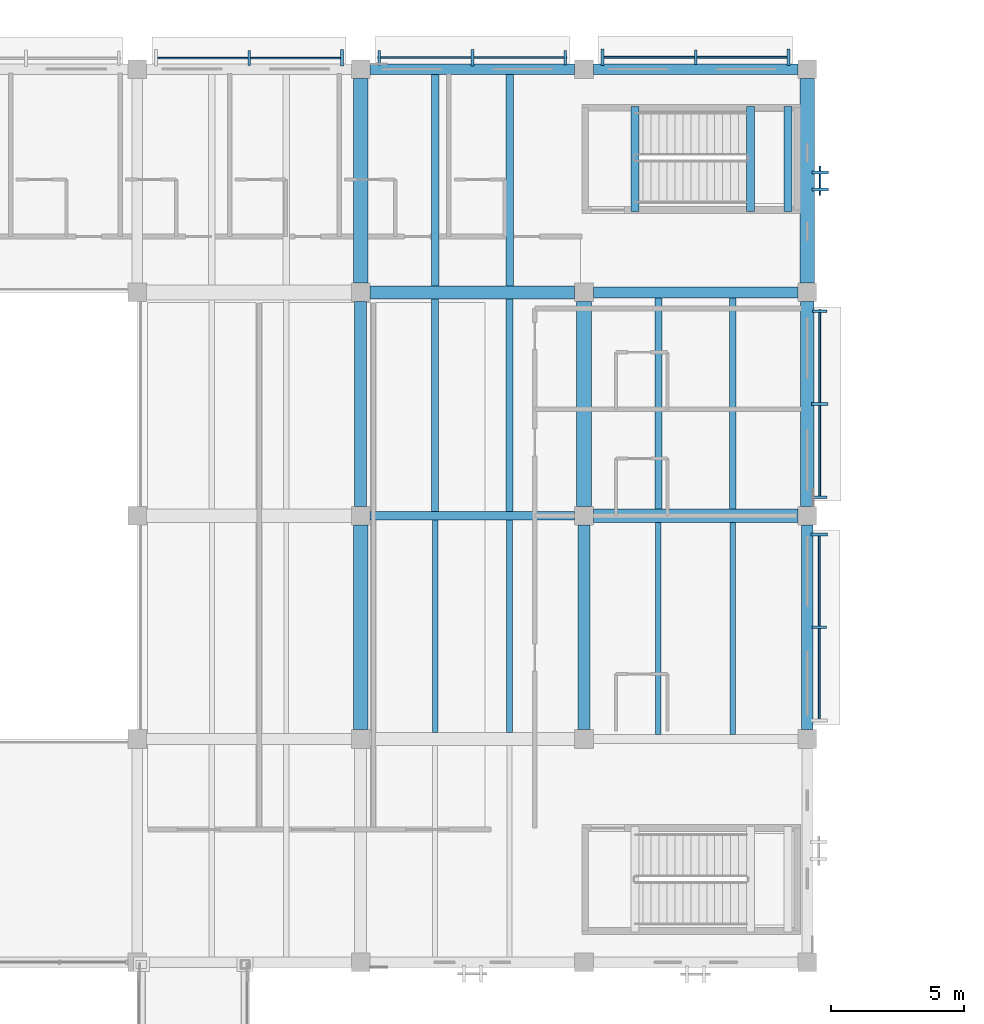
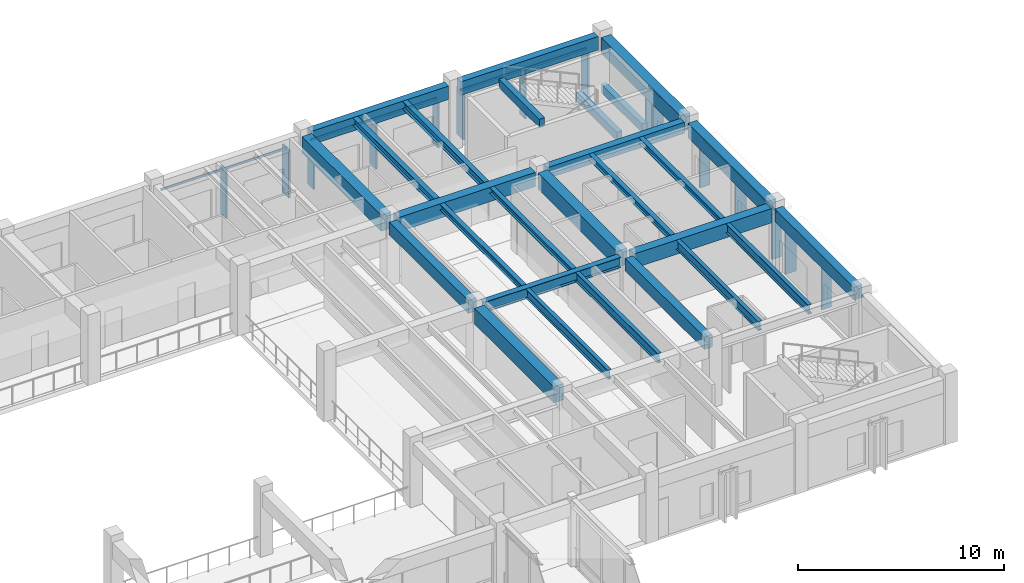
# One storey, part 60 of 132: 27 beams, 21 members, 6 elements without a shape of their own.
"""IFC4 building model written with IfcOpenShell, lengths in metres."""

from ifc_helpers import new_model, si_unit, direction, frame, origin, origin_2d, place, context, subcontext, project, spatial, rectangle, i_section, extrude, material, material_profile, profile_set, type_object, element, aggregate, save


model = new_model("IFC4")

# Units and contexts
model_context = context("Model", 3, precision=1e-05, world=origin(), true_north=direction((0.0, 1.0)))
body_context = subcontext(model_context, "Body", "Model", "MODEL_VIEW")
ifc_project = project(units=[si_unit("LENGTHUNIT", "METRE"), si_unit("AREAUNIT", "SQUARE_METRE"), si_unit("VOLUMEUNIT", "CUBIC_METRE"), si_unit("PLANEANGLEUNIT", "RADIAN"), si_unit("MASSUNIT", "GRAM", prefix="KILO")], contexts=[model_context])

# Site, building, storey
site_placement = place(None, origin())
site = spatial("IfcSite", under=ifc_project, at=site_placement, CompositionType="ELEMENT")
building_placement = place(site_placement, origin())
building = spatial("IfcBuilding", under=site, at=building_placement, Name="Cumbredor Promenade Congress Hotel", CompositionType="ELEMENT")
storey_placement = place(building_placement, frame((0.0, 0.0, 7.56005859375)))
storey = spatial("IfcBuildingStorey", under=building, at=storey_placement, Name="L02", CompositionType="ELEMENT", Elevation=7.56005859375)

# Beams
ifc_material_1 = material(Name="Concrete C40/50", Category="concrete")
ifc_material_profile_1 = material_profile(ifc_material_1, rectangle(XDim=0.39990234375, YDim=0.64990234375, at=origin_2d()), Name="RC BEAM 400x650")
ifc_profile_set_1 = profile_set([ifc_material_profile_1], Name="Concrete C40/50")
beam_type_1 = type_object("IfcBeamType", Name="BM-RC-400x650", PredefinedType="BEAM", material=ifc_profile_set_1)
beam_1_placement = place(storey_placement, frame((168.35009765625, 109.199951171875, 3.474853515625), z_axis=(1.0, 0.0, 0.0), x_axis=(0.0, 1.0, 0.0)))
element("IfcBeam", 1, at=beam_1_placement, inside=storey, type_object=beam_type_1, Name="L03 X-Grid Beam 240", PredefinedType="BEAM", context=body_context, shape_type="SweptSolid", body=[
    extrude(rectangle(XDim=0.39990234375, YDim=0.64990234375, at=origin_2d()), origin(), (0.0, 0.0, 1.0), 7.699951171875),
])
ifc_material_profile_2 = material_profile(ifc_material_1, rectangle(XDim=0.449951171875, YDim=0.75, at=origin_2d()), Name="RC BEAM 450x750")
ifc_profile_set_2 = profile_set([ifc_material_profile_2], Name="Concrete C40/50")
beam_type_2 = type_object("IfcBeamType", Name="BM-RC-450x750", PredefinedType="BEAM", material=ifc_profile_set_2)
beam_2_placement = place(storey_placement, frame((159.60009765625, 101.14990234375, 3.425048828125), z_axis=(0.0, 1.0, 0.0), x_axis=(-1.0, 0.0, 0.0)))
element("IfcBeam", 2, at=beam_2_placement, inside=storey, type_object=beam_type_2, Name="L03 Y-Grid Beam 225", PredefinedType="BEAM", context=body_context, shape_type="SweptSolid", body=[
    extrude(rectangle(XDim=0.449951171875, YDim=0.75, at=origin_2d()), origin(), (0.0, 0.0, 1.0), 7.7001953125),
])
for number, where, z_axis, x_axis, name in (
    (3, (168.0, 92.75, 3.425048828125), (0.0, 1.0, 0.0), (-1.0, 0.0, 0.0), "L03 Y-Grid Beam 237"),
    (4, (176.39990234375, 92.75, 3.425048828125), (0.0, 1.0, 0.0), (-1.0, 0.0, 0.0), "L03 Y-Grid Beam 249"),
):
    element("IfcBeam", number, at=place(storey_placement, frame(where, z_axis=z_axis, x_axis=x_axis)), inside=storey, type_object=beam_type_2, Name=name, PredefinedType="BEAM", context=body_context, shape_type="SweptSolid", body=[
        extrude(rectangle(XDim=0.449951171875, YDim=0.75, at=origin_2d()), origin(), (0.0, 0.0, 1.0), 7.699951171875),
    ])
ifc_material_profile_3 = material_profile(ifc_material_1, rectangle(XDim=0.5, YDim=0.85009765625, at=origin_2d()), Name="RC BEAM 500x850")
ifc_profile_set_3 = profile_set([ifc_material_profile_3], Name="Concrete C40/50")
beam_type_3 = type_object("IfcBeamType", Name="BM-RC-500x850", PredefinedType="BEAM", material=ifc_profile_set_3)
for number, where, z_axis, x_axis, name in (
    (5, (159.949951171875, 109.199951171875, 3.375), (1.0, 0.0, 0.0), (0.0, 1.0, 0.0), "L03 X-Grid Beam 226"),
    (6, (168.35009765625, 100.800048828125, 3.375), (1.0, 0.0, 0.0), (0.0, 1.0, 0.0), "L03 X-Grid Beam 238"),
):
    element("IfcBeam", number, at=place(storey_placement, frame(where, z_axis=z_axis, x_axis=x_axis)), inside=storey, type_object=beam_type_3, Name=name, PredefinedType="BEAM", context=body_context, shape_type="SweptSolid", body=[
        extrude(rectangle(XDim=0.5, YDim=0.85009765625, at=origin_2d()), origin(), (0.0, 0.0, 1.0), 7.699951171875),
    ])
beam_3_placement = place(storey_placement, frame((176.39990234375, 101.14990234375, 3.375), z_axis=(0.0, 1.0, 0.0), x_axis=(-1.0, 0.0, 0.0)))
element("IfcBeam", 7, at=beam_3_placement, inside=storey, type_object=beam_type_3, Name="L03 Y-Grid Beam 250", PredefinedType="BEAM", context=body_context, shape_type="SweptSolid", body=[
    extrude(rectangle(XDim=0.5, YDim=0.85009765625, at=origin_2d()), origin(), (0.0, 0.0, 1.0), 7.7001953125),
])
ifc_material_profile_4 = material_profile(ifc_material_1, rectangle(XDim=0.550048828125, YDim=0.949951171875, at=origin_2d()), Name="RC BEAM 550x950")
ifc_profile_set_4 = profile_set([ifc_material_profile_4], Name="Concrete C40/50")
beam_type_4 = type_object("IfcBeamType", Name="BM-RC-550x950", PredefinedType="BEAM", material=ifc_profile_set_4)
for number, where, z_axis, x_axis, name in (
    (8, (159.60009765625, 92.75, 3.324951171875), (0.0, 1.0, 0.0), (-1.0, 0.0, 0.0), "L03 Y-Grid Beam 223"),
    (9, (159.60009765625, 109.550048828125, 3.324951171875), (0.0, 1.0, 0.0), (-1.0, 0.0, 0.0), "L03 Y-Grid Beam 227"),
):
    element("IfcBeam", number, at=place(storey_placement, frame(where, z_axis=z_axis, x_axis=x_axis)), inside=storey, type_object=beam_type_4, Name=name, PredefinedType="BEAM", context=body_context, shape_type="SweptSolid", body=[
        extrude(rectangle(XDim=0.550048828125, YDim=0.949951171875, at=origin_2d()), origin(), (0.0, 0.0, 1.0), 7.699951171875),
    ])
beam_4_placement = place(storey_placement, frame((168.0, 101.14990234375, 3.324951171875), z_axis=(0.0, 1.0, 0.0), x_axis=(-1.0, 0.0, 0.0)))
element("IfcBeam", 10, at=beam_4_placement, inside=storey, type_object=beam_type_4, Name="L03 Y-Grid Beam 239", PredefinedType="BEAM", context=body_context, shape_type="SweptSolid", body=[
    extrude(rectangle(XDim=0.550048828125, YDim=0.949951171875, at=origin_2d()), origin(), (0.0, 0.0, 1.0), 7.7001953125),
])
beam_5_placement = place(storey_placement, frame((176.39990234375, 109.550048828125, 3.324951171875), z_axis=(0.0, 1.0, 0.0), x_axis=(-1.0, 0.0, 0.0)))
element("IfcBeam", 11, at=beam_5_placement, inside=storey, type_object=beam_type_4, Name="L03 Y-Grid Beam 251", PredefinedType="BEAM", context=body_context, shape_type="SweptSolid", body=[
    extrude(rectangle(XDim=0.550048828125, YDim=0.949951171875, at=origin_2d()), origin(), (0.0, 0.0, 1.0), 7.699951171875),
])
ifc_material_2 = material(Name="Steel ASTM A992 Grade 50", Category="steel")
ifc_material_profile_5 = material_profile(ifc_material_2, i_section(OverallWidth=0.323974609375, OverallDepth=0.611083984375, WebThickness=0.0126953125, FlangeThickness=0.01904296875, at=origin_2d()), Name="W24X104")
ifc_profile_set_5 = profile_set([ifc_material_profile_5], Name="Steel ASTM A992 Grade 50")
beam_type_5 = type_object("IfcBeamType", Name="BM-W24X104", PredefinedType="BEAM", material=ifc_profile_set_5)
beam_6_placement = place(storey_placement, frame((159.949951171875, 100.800048828125, 3.494384765625), z_axis=(1.0, 0.0, 0.0), x_axis=(0.0, 1.0, 0.0)))
element("IfcBeam", 12, at=beam_6_placement, inside=storey, type_object=beam_type_5, Name="L03 X-Grid Beam 224", PredefinedType="BEAM", context=body_context, shape_type="SweptSolid", body=[
    extrude(i_section(OverallWidth=0.323974609375, OverallDepth=0.611083984375, WebThickness=0.0126953125, FlangeThickness=0.01904296875, at=origin_2d()), origin(), (0.0, 0.0, 1.0), 7.699951171875),
])

# Curtain wall, member
ifc_material_3 = material(Name="Thermally broken anodized aluminium and low-E glass", Category="aluminium")
curtain_wall_type = type_object("IfcCurtainWallType", Name="Solar Brise-Soleil Screen Assembly CW-07", PredefinedType="NOTDEFINED", material=ifc_material_3)
curtain_wall_1_placement = place(storey_placement, origin())
curtain_wall_1 = element("IfcCurtainWall", 13, at=curtain_wall_1_placement, inside=storey, type_object=curtain_wall_type, Name="L02 Hospitality Brise-Soleil Screen 034", PredefinedType="NOTDEFINED")
ifc_material_4 = material(Name="Thermally broken anodized aluminium", Category="aluminium")
ifc_material_profile_6 = material_profile(ifc_material_4, rectangle(XDim=0.06494140625, YDim=0.1298828125, at=origin_2d()), Name="ALU TRANSOM 65x130")
ifc_profile_set_6 = profile_set([ifc_material_profile_6], Name="Thermally broken anodized aluminium")
member_type_1 = type_object("IfcMemberType", Name="Curtain Wall Transom TR-01", PredefinedType="USERDEFINED", material=ifc_profile_set_6)
member_1_placement = place(storey_placement, frame((151.85107421875, 118.0224609375, 2.804931640625), z_axis=(1.0, 0.0, 0.0), x_axis=(0.0, 1.0, 0.0)))
member_1 = element("IfcMember", 14, at=member_1_placement, type_object=member_type_1, Name="L02 Brise-Soleil Screen Transom 034", ObjectType="TRANSOM", PredefinedType="USERDEFINED", context=body_context, shape_type="SweptSolid", body=[
    extrude(rectangle(XDim=0.06494140625, YDim=0.1298828125, at=origin_2d()), origin(), (0.0, 0.0, 1.0), 7.097900390625),
])

curtain_wall_2_placement = place(storey_placement, origin())
curtain_wall_2 = element("IfcCurtainWall", 15, at=curtain_wall_2_placement, inside=storey, type_object=curtain_wall_type, Name="L02 Hospitality Brise-Soleil Screen 035", PredefinedType="NOTDEFINED")
member_2_placement = place(storey_placement, frame((160.2509765625, 118.034912109375, 2.804931640625), z_axis=(1.0, 0.0, 0.0), x_axis=(0.0, 1.0, 0.0)))
member_2 = element("IfcMember", 16, at=member_2_placement, type_object=member_type_1, Name="L02 Brise-Soleil Screen Transom 035", ObjectType="TRANSOM", PredefinedType="USERDEFINED", context=body_context, shape_type="SweptSolid", body=[
    extrude(rectangle(XDim=0.06494140625, YDim=0.1298828125, at=origin_2d()), origin(), (0.0, 0.0, 1.0), 7.09814453125),
])

curtain_wall_3_placement = place(storey_placement, origin())
curtain_wall_3 = element("IfcCurtainWall", 17, at=curtain_wall_3_placement, inside=storey, type_object=curtain_wall_type, Name="L02 Hospitality Brise-Soleil Screen 036", PredefinedType="NOTDEFINED")
member_3_placement = place(storey_placement, frame((168.65087890625, 118.050048828125, 2.804931640625), z_axis=(1.0, 0.0, 0.0), x_axis=(0.0, 1.0, 0.0)))
member_3 = element("IfcMember", 18, at=member_3_placement, type_object=member_type_1, Name="L02 Brise-Soleil Screen Transom 036", ObjectType="TRANSOM", PredefinedType="USERDEFINED", context=body_context, shape_type="SweptSolid", body=[
    extrude(rectangle(XDim=0.06494140625, YDim=0.1298828125, at=origin_2d()), origin(), (0.0, 0.0, 1.0), 7.09814453125),
])

curtain_wall_4_placement = place(storey_placement, origin())
curtain_wall_4 = element("IfcCurtainWall", 19, at=curtain_wall_4_placement, inside=storey, type_object=curtain_wall_type, Name="L02 Hospitality Brise-Soleil Screen 037", PredefinedType="NOTDEFINED")
member_4_placement = place(storey_placement, frame((176.85009765625, 93.051025390625, 2.85498046875), z_axis=(0.0, 1.0, 0.0), x_axis=(-1.0, 0.0, 0.0)))
member_4 = element("IfcMember", 20, at=member_4_placement, type_object=member_type_1, Name="L02 Brise-Soleil Screen Transom 037", ObjectType="TRANSOM", PredefinedType="USERDEFINED", context=body_context, shape_type="SweptSolid", body=[
    extrude(rectangle(XDim=0.06494140625, YDim=0.1298828125, at=origin_2d()), origin(), (0.0, 0.0, 1.0), 7.097900390625),
])

curtain_wall_5_placement = place(storey_placement, origin())
curtain_wall_5 = element("IfcCurtainWall", 21, at=curtain_wall_5_placement, inside=storey, type_object=curtain_wall_type, Name="L02 Hospitality Brise-Soleil Screen 038", PredefinedType="NOTDEFINED")
member_5_placement = place(storey_placement, frame((176.87255859375, 101.450927734375, 2.7548828125), z_axis=(0.0, 1.0, 0.0), x_axis=(-1.0, 0.0, 0.0)))
member_5 = element("IfcMember", 22, at=member_5_placement, type_object=member_type_1, Name="L02 Brise-Soleil Screen Transom 038", ObjectType="TRANSOM", PredefinedType="USERDEFINED", context=body_context, shape_type="SweptSolid", body=[
    extrude(rectangle(XDim=0.06494140625, YDim=0.1298828125, at=origin_2d()), origin(), (0.0, 0.0, 1.0), 7.09814453125),
])

curtain_wall_6_placement = place(storey_placement, origin())
curtain_wall_6 = element("IfcCurtainWall", 23, at=curtain_wall_6_placement, inside=storey, type_object=curtain_wall_type, Name="L02 Pier Brise-Soleil Screen 0448", PredefinedType="NOTDEFINED")
member_6_placement = place(storey_placement, frame((176.885009765625, 112.85009765625, 2.675048828125), z_axis=(0.0, 1.0, 0.0), x_axis=(-1.0, 0.0, 0.0)))
member_6 = element("IfcMember", 24, at=member_6_placement, type_object=member_type_1, Name="L02 Pier Brise-Soleil Header 0450", ObjectType="TRANSOM", PredefinedType="USERDEFINED", context=body_context, shape_type="SweptSolid", body=[
    extrude(rectangle(XDim=0.06494140625, YDim=0.1298828125, at=origin_2d()), origin(), (0.0, 0.0, 1.0), 1.099853515625),
])

# Beams
ifc_material_profile_7 = material_profile(ifc_material_2, i_section(OverallWidth=0.2548828125, OverallDepth=0.35693359375, WebThickness=0.010498046875, FlangeThickness=0.018310546875, at=origin_2d()), Name="W14X68")
ifc_profile_set_7 = profile_set([ifc_material_profile_7], Name="Steel ASTM A992 Grade 50")
beam_type_6 = type_object("IfcBeamType", Name="JST-W14X68", PredefinedType="JOIST", material=ifc_profile_set_7)
for number, where, z_axis, x_axis, name in (
    (25, (162.39990234375, 100.9619140625, 3.621337890625), (0.0, 1.0, 0.0), (-1.0, 0.0, 0.0), "L03 Secondary Floor Joist 0132"),
    (26, (165.199951171875, 100.9619140625, 3.621337890625), (0.0, 1.0, 0.0), (-1.0, 0.0, 0.0), "L03 Secondary Floor Joist 0133"),
):
    element("IfcBeam", number, at=place(storey_placement, frame(where, z_axis=z_axis, x_axis=x_axis)), inside=storey, type_object=beam_type_6, Name=name, PredefinedType="JOIST", context=body_context, shape_type="SweptSolid", body=[
        extrude(i_section(OverallWidth=0.2548828125, OverallDepth=0.35693359375, WebThickness=0.010498046875, FlangeThickness=0.018310546875, at=origin_2d()), origin(), (0.0, 0.0, 1.0), 7.988037109375),
    ])
for number, where, z_axis, x_axis, name in (
    (27, (170.800048828125, 101.050048828125, 3.621337890625), (0.0, 1.0, 0.0), (-1.0, 0.0, 0.0), "L03 Secondary Floor Joist 0142"),
    (28, (173.60009765625, 101.050048828125, 3.621337890625), (0.0, 1.0, 0.0), (-1.0, 0.0, 0.0), "L03 Secondary Floor Joist 0143"),
):
    element("IfcBeam", number, at=place(storey_placement, frame(where, z_axis=z_axis, x_axis=x_axis)), inside=storey, type_object=beam_type_6, Name=name, PredefinedType="JOIST", context=body_context, shape_type="SweptSolid", body=[
        extrude(i_section(OverallWidth=0.2548828125, OverallDepth=0.35693359375, WebThickness=0.010498046875, FlangeThickness=0.018310546875, at=origin_2d()), origin(), (0.0, 0.0, 1.0), 7.949951171875),
    ])
ifc_material_profile_8 = material_profile(ifc_material_2, i_section(OverallWidth=0.280029296875, OverallDepth=0.462890625, WebThickness=0.0107421875, FlangeThickness=0.017333984375, at=origin_2d()), Name="W18X76")
ifc_profile_set_8 = profile_set([ifc_material_profile_8], Name="Steel ASTM A992 Grade 50")
beam_type_7 = type_object("IfcBeamType", Name="JST-W18X76", PredefinedType="JOIST", material=ifc_profile_set_8)
for number, where, z_axis, x_axis, name in (
    (29, (162.39990234375, 109.449951171875, 3.568359375), (0.0, 1.0, 0.0), (-1.0, 0.0, 0.0), "L03 Secondary Floor Joist 0134"),
    (30, (165.199951171875, 109.449951171875, 3.568359375), (0.0, 1.0, 0.0), (-1.0, 0.0, 0.0), "L03 Secondary Floor Joist 0135"),
):
    element("IfcBeam", number, at=place(storey_placement, frame(where, z_axis=z_axis, x_axis=x_axis)), inside=storey, type_object=beam_type_7, Name=name, PredefinedType="JOIST", context=body_context, shape_type="SweptSolid", body=[
        extrude(i_section(OverallWidth=0.280029296875, OverallDepth=0.462890625, WebThickness=0.0107421875, FlangeThickness=0.017333984375, at=origin_2d()), origin(), (0.0, 0.0, 1.0), 7.949951171875),
    ])
ifc_material_profile_9 = material_profile(ifc_material_2, i_section(OverallWidth=0.214111328125, OverallDepth=0.549072265625, WebThickness=0.0146484375, FlangeThickness=0.023681640625, at=origin_2d()), Name="W21X93")
ifc_profile_set_9 = profile_set([ifc_material_profile_9], Name="Steel ASTM A992 Grade 50")
beam_type_8 = type_object("IfcBeamType", Name="JST-W21X93", PredefinedType="JOIST", material=ifc_profile_set_9)
for number, where, z_axis, x_axis, name in (
    (31, (162.39990234375, 92.64990234375, 3.525390625), (0.0, 1.0, 0.0), (-1.0, 0.0, 0.0), "L03 Secondary Floor Joist 0130"),
    (32, (165.199951171875, 92.64990234375, 3.525390625), (0.0, 1.0, 0.0), (-1.0, 0.0, 0.0), "L03 Secondary Floor Joist 0131"),
    (33, (170.800048828125, 92.56201171875, 3.525390625), (0.0, 1.0, 0.0), (-1.0, 0.0, 0.0), "L03 Secondary Floor Joist 0140"),
    (34, (173.60009765625, 92.56201171875, 3.525390625), (0.0, 1.0, 0.0), (-1.0, 0.0, 0.0), "L03 Secondary Floor Joist 0141"),
):
    element("IfcBeam", number, at=place(storey_placement, frame(where, z_axis=z_axis, x_axis=x_axis)), inside=storey, type_object=beam_type_8, Name=name, PredefinedType="JOIST", context=body_context, shape_type="SweptSolid", body=[
        extrude(i_section(OverallWidth=0.214111328125, OverallDepth=0.549072265625, WebThickness=0.0146484375, FlangeThickness=0.023681640625, at=origin_2d()), origin(), (0.0, 0.0, 1.0), 7.988037109375),
    ])
ifc_material_profile_10 = material_profile(ifc_material_1, rectangle(XDim=0.300048828125, YDim=0.5, at=origin_2d()), Name="RC LINTEL 300x500")
ifc_profile_set_10 = profile_set([ifc_material_profile_10], Name="Concrete C40/50")
beam_type_9 = type_object("IfcBeamType", Name="LN-RC-300x500", PredefinedType="LINTEL", material=ifc_profile_set_10)
for number, where, z_axis, x_axis, name in (
    (35, (175.669921875, 112.25, 1.64990234375), (0.0, 1.0, 0.0), (-1.0, 0.0, 0.0), "L02 Stair ST-16 Landing Ledger Beam E"),
    (36, (174.27001953125, 112.25, 1.64990234375), (0.0, 1.0, 0.0), (-1.0, 0.0, 0.0), "L02 Stair ST-16 Landing Ledger Beam W"),
    (37, (169.919921875, 112.25, 3.949951171875), (0.0, 1.0, 0.0), (-1.0, 0.0, 0.0), "L03 Stair ST-16 Well Header Trimmer Beam"),
):
    element("IfcBeam", number, at=place(storey_placement, frame(where, z_axis=z_axis, x_axis=x_axis)), inside=storey, type_object=beam_type_9, Name=name, PredefinedType="LINTEL", context=body_context, shape_type="SweptSolid", body=[
        extrude(rectangle(XDim=0.300048828125, YDim=0.5, at=origin_2d()), origin(), (0.0, 0.0, 1.0), 3.949951171875),
    ])
ifc_material_profile_11 = material_profile(ifc_material_1, rectangle(XDim=0.39990234375, YDim=0.800048828125, at=origin_2d()), Name="RC SPANDREL 400x800")
ifc_profile_set_11 = profile_set([ifc_material_profile_11], Name="Concrete C40/50")
beam_type_10 = type_object("IfcBeamType", Name="SP-RC-400x800", PredefinedType="SPANDREL", material=ifc_profile_set_11)
for number, where, z_axis, x_axis, name in (
    (38, (159.949951171875, 117.60009765625, 3.39990234375), (1.0, 0.0, 0.0), (0.0, 1.0, 0.0), "L03 X-Grid Beam 228"),
    (39, (168.35009765625, 117.60009765625, 3.39990234375), (1.0, 0.0, 0.0), (0.0, 1.0, 0.0), "L03 X-Grid Beam 241"),
):
    element("IfcBeam", number, at=place(storey_placement, frame(where, z_axis=z_axis, x_axis=x_axis)), inside=storey, type_object=beam_type_10, Name=name, PredefinedType="SPANDREL", context=body_context, shape_type="SweptSolid", body=[
        extrude(rectangle(XDim=0.39990234375, YDim=0.800048828125, at=origin_2d()), origin(), (0.0, 0.0, 1.0), 7.699951171875),
    ])

# Member
ifc_material_profile_12 = material_profile(ifc_material_4, rectangle(XDim=0.110107421875, YDim=0.6201171875, at=origin_2d()), Name="ARCH FIN 110x620")
ifc_profile_set_12 = profile_set([ifc_material_profile_12], Name="Thermally broken anodized aluminium")
member_type_2 = type_object("IfcMemberType", Name="Vertical Bronze Brise-Soleil Fin BSF-02 110x620", PredefinedType="USERDEFINED", material=ifc_profile_set_12)
member_7_placement = place(storey_placement, frame((158.89892578125, 118.0224609375, 0.02001953125), z_axis=(0.0, 0.0, 1.0), x_axis=(1.0, 0.0, 0.0)))
member_7 = element("IfcMember", 40, at=member_7_placement, type_object=member_type_2, Name="L02 Vertical Brise-Soleil Fin 0426", ObjectType="SOLAR FIN", PredefinedType="USERDEFINED", context=body_context, shape_type="SweptSolid", body=[
    extrude(rectangle(XDim=0.110107421875, YDim=0.6201171875, at=origin_2d()), origin(), (0.0, 0.0, 1.0), 2.844970703125),
])

member_8_placement = place(storey_placement, frame((163.800048828125, 118.034912109375, 0.02001953125), z_axis=(0.0, 0.0, 1.0), x_axis=(1.0, 0.0, 0.0)))
member_8 = element("IfcMember", 41, at=member_8_placement, type_object=member_type_2, Name="L02 Vertical Brise-Soleil Fin 0428", ObjectType="SOLAR FIN", PredefinedType="USERDEFINED", context=body_context, shape_type="SweptSolid", body=[
    extrude(rectangle(XDim=0.110107421875, YDim=0.6201171875, at=origin_2d()), origin(), (0.0, 0.0, 1.0), 2.844970703125),
])

member_9_placement = place(storey_placement, frame((168.700927734375, 118.050048828125, 0.02001953125), z_axis=(0.0, 0.0, 1.0), x_axis=(1.0, 0.0, 0.0)))
member_9 = element("IfcMember", 42, at=member_9_placement, type_object=member_type_2, Name="L02 Vertical Brise-Soleil Fin 0430", ObjectType="SOLAR FIN", PredefinedType="USERDEFINED", context=body_context, shape_type="SweptSolid", body=[
    extrude(rectangle(XDim=0.110107421875, YDim=0.6201171875, at=origin_2d()), origin(), (0.0, 0.0, 1.0), 2.844970703125),
])

member_10_placement = place(storey_placement, frame((175.698974609375, 118.050048828125, 0.02001953125), z_axis=(0.0, 0.0, 1.0), x_axis=(1.0, 0.0, 0.0)))
member_10 = element("IfcMember", 43, at=member_10_placement, type_object=member_type_2, Name="L02 Vertical Brise-Soleil Fin 0432", ObjectType="SOLAR FIN", PredefinedType="USERDEFINED", context=body_context, shape_type="SweptSolid", body=[
    extrude(rectangle(XDim=0.110107421875, YDim=0.6201171875, at=origin_2d()), origin(), (0.0, 0.0, 1.0), 2.844970703125),
])

member_11_placement = place(storey_placement, frame((176.85009765625, 100.09912109375, 0.02001953125), z_axis=(0.0, 0.0, 1.0), x_axis=(0.0, 1.0, 0.0)))
member_11 = element("IfcMember", 44, at=member_11_placement, type_object=member_type_2, Name="L02 Vertical Brise-Soleil Fin 0444", ObjectType="SOLAR FIN", PredefinedType="USERDEFINED", context=body_context, shape_type="SweptSolid", body=[
    extrude(rectangle(XDim=0.110107421875, YDim=0.6201171875, at=origin_2d()), origin(), (0.0, 0.0, 1.0), 2.89501953125),
])

member_12_placement = place(storey_placement, frame((176.87255859375, 105.0, 0.02001953125), z_axis=(0.0, 0.0, 1.0), x_axis=(0.0, 1.0, 0.0)))
member_12 = element("IfcMember", 45, at=member_12_placement, type_object=member_type_2, Name="L02 Vertical Brise-Soleil Fin 0446", ObjectType="SOLAR FIN", PredefinedType="USERDEFINED", context=body_context, shape_type="SweptSolid", body=[
    extrude(rectangle(XDim=0.110107421875, YDim=0.6201171875, at=origin_2d()), origin(), (0.0, 0.0, 1.0), 2.794921875),
])

member_13_placement = place(storey_placement, frame((176.885009765625, 113.080078125, 0.02001953125), z_axis=(0.0, 0.0, 1.0), x_axis=(0.0, 1.0, 0.0)))
member_13 = element("IfcMember", 46, at=member_13_placement, type_object=member_type_2, Name="L02 Pier Brise-Soleil Fin 0449", ObjectType="SOLAR FIN", PredefinedType="USERDEFINED", context=body_context, shape_type="SweptSolid", body=[
    extrude(rectangle(XDim=0.110107421875, YDim=0.6201171875, at=origin_2d()), origin(), (0.0, 0.0, 1.0), 2.69482421875),
])

member_14_placement = place(storey_placement, frame((176.885009765625, 113.719970703125, 0.02001953125), z_axis=(0.0, 0.0, 1.0), x_axis=(0.0, 1.0, 0.0)))
member_14 = element("IfcMember", 47, at=member_14_placement, type_object=member_type_2, Name="L02 Pier Brise-Soleil Fin 0450", ObjectType="SOLAR FIN", PredefinedType="USERDEFINED", context=body_context, shape_type="SweptSolid", body=[
    extrude(rectangle(XDim=0.110107421875, YDim=0.6201171875, at=origin_2d()), origin(), (0.0, 0.0, 1.0), 2.69482421875),
])

aggregate(curtain_wall_6, [member_13, member_14, member_6])

ifc_material_5 = material(Name="Kiln-dried tropical hardwood", Category="wood")
ifc_material_profile_13 = material_profile(ifc_material_5, rectangle(XDim=0.090087890625, YDim=0.550048828125, at=origin_2d()), Name="ARCH FIN 90x550")
ifc_profile_set_13 = profile_set([ifc_material_profile_13], Name="Kiln-dried tropical hardwood")
member_type_3 = type_object("IfcMemberType", Name="Vertical Hardwood Brise-Soleil Fin BSF-01 90x550", PredefinedType="USERDEFINED", material=ifc_profile_set_13)
member_15_placement = place(storey_placement, frame((155.39990234375, 118.0224609375, 0.02001953125), z_axis=(0.0, 0.0, 1.0), x_axis=(1.0, 0.0, 0.0)))
member_15 = element("IfcMember", 48, at=member_15_placement, type_object=member_type_3, Name="L02 Vertical Brise-Soleil Fin 0425", ObjectType="SOLAR FIN", PredefinedType="USERDEFINED", context=body_context, shape_type="SweptSolid", body=[
    extrude(rectangle(XDim=0.090087890625, YDim=0.550048828125, at=origin_2d()), origin(), (0.0, 0.0, 1.0), 2.844970703125),
])

aggregate(curtain_wall_1, [member_1, member_15, member_7])

member_16_placement = place(storey_placement, frame((160.301025390625, 118.034912109375, 0.02001953125), z_axis=(0.0, 0.0, 1.0), x_axis=(1.0, 0.0, 0.0)))
member_16 = element("IfcMember", 49, at=member_16_placement, type_object=member_type_3, Name="L02 Vertical Brise-Soleil Fin 0427", ObjectType="SOLAR FIN", PredefinedType="USERDEFINED", context=body_context, shape_type="SweptSolid", body=[
    extrude(rectangle(XDim=0.090087890625, YDim=0.550048828125, at=origin_2d()), origin(), (0.0, 0.0, 1.0), 2.844970703125),
])

member_17_placement = place(storey_placement, frame((167.299072265625, 118.034912109375, 0.02001953125), z_axis=(0.0, 0.0, 1.0), x_axis=(1.0, 0.0, 0.0)))
member_17 = element("IfcMember", 50, at=member_17_placement, type_object=member_type_3, Name="L02 Vertical Brise-Soleil Fin 0429", ObjectType="SOLAR FIN", PredefinedType="USERDEFINED", context=body_context, shape_type="SweptSolid", body=[
    extrude(rectangle(XDim=0.090087890625, YDim=0.550048828125, at=origin_2d()), origin(), (0.0, 0.0, 1.0), 2.844970703125),
])

aggregate(curtain_wall_2, [member_2, member_16, member_8, member_17])

member_18_placement = place(storey_placement, frame((172.199951171875, 118.050048828125, 0.02001953125), z_axis=(0.0, 0.0, 1.0), x_axis=(1.0, 0.0, 0.0)))
member_18 = element("IfcMember", 51, at=member_18_placement, type_object=member_type_3, Name="L02 Vertical Brise-Soleil Fin 0431", ObjectType="SOLAR FIN", PredefinedType="USERDEFINED", context=body_context, shape_type="SweptSolid", body=[
    extrude(rectangle(XDim=0.090087890625, YDim=0.550048828125, at=origin_2d()), origin(), (0.0, 0.0, 1.0), 2.844970703125),
])

aggregate(curtain_wall_3, [member_3, member_9, member_18, member_10])

member_19_placement = place(storey_placement, frame((176.85009765625, 96.60009765625, 0.02001953125), z_axis=(0.0, 0.0, 1.0), x_axis=(0.0, 1.0, 0.0)))
member_19 = element("IfcMember", 52, at=member_19_placement, type_object=member_type_3, Name="L02 Vertical Brise-Soleil Fin 0443", ObjectType="SOLAR FIN", PredefinedType="USERDEFINED", context=body_context, shape_type="SweptSolid", body=[
    extrude(rectangle(XDim=0.090087890625, YDim=0.550048828125, at=origin_2d()), origin(), (0.0, 0.0, 1.0), 2.89501953125),
])

aggregate(curtain_wall_4, [member_4, member_19, member_11])

member_20_placement = place(storey_placement, frame((176.87255859375, 101.5009765625, 0.02001953125), z_axis=(0.0, 0.0, 1.0), x_axis=(0.0, 1.0, 0.0)))
member_20 = element("IfcMember", 53, at=member_20_placement, type_object=member_type_3, Name="L02 Vertical Brise-Soleil Fin 0445", ObjectType="SOLAR FIN", PredefinedType="USERDEFINED", context=body_context, shape_type="SweptSolid", body=[
    extrude(rectangle(XDim=0.090087890625, YDim=0.550048828125, at=origin_2d()), origin(), (0.0, 0.0, 1.0), 2.794921875),
])

member_21_placement = place(storey_placement, frame((176.87255859375, 108.4990234375, 0.02001953125), z_axis=(0.0, 0.0, 1.0), x_axis=(0.0, 1.0, 0.0)))
member_21 = element("IfcMember", 54, at=member_21_placement, type_object=member_type_3, Name="L02 Vertical Brise-Soleil Fin 0447", ObjectType="SOLAR FIN", PredefinedType="USERDEFINED", context=body_context, shape_type="SweptSolid", body=[
    extrude(rectangle(XDim=0.090087890625, YDim=0.550048828125, at=origin_2d()), origin(), (0.0, 0.0, 1.0), 2.794921875),
])

aggregate(curtain_wall_5, [member_5, member_20, member_12, member_21])

save(model, "model.ifc")
